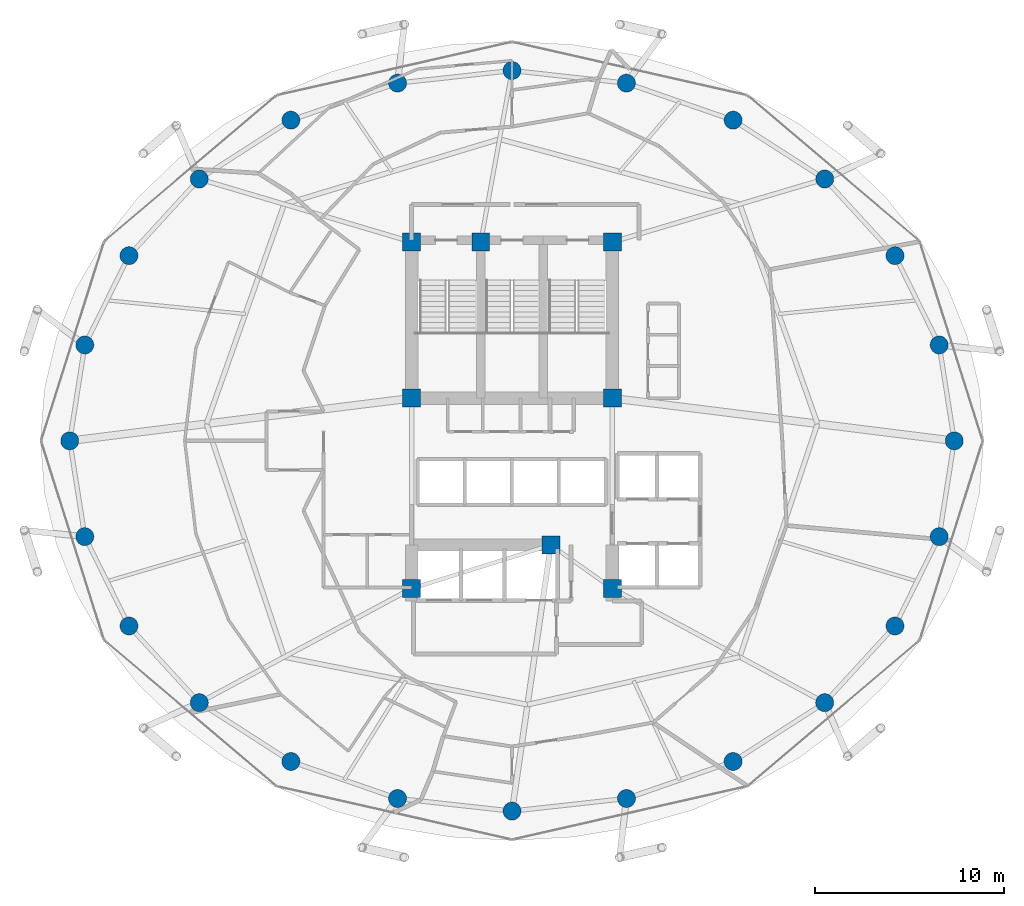
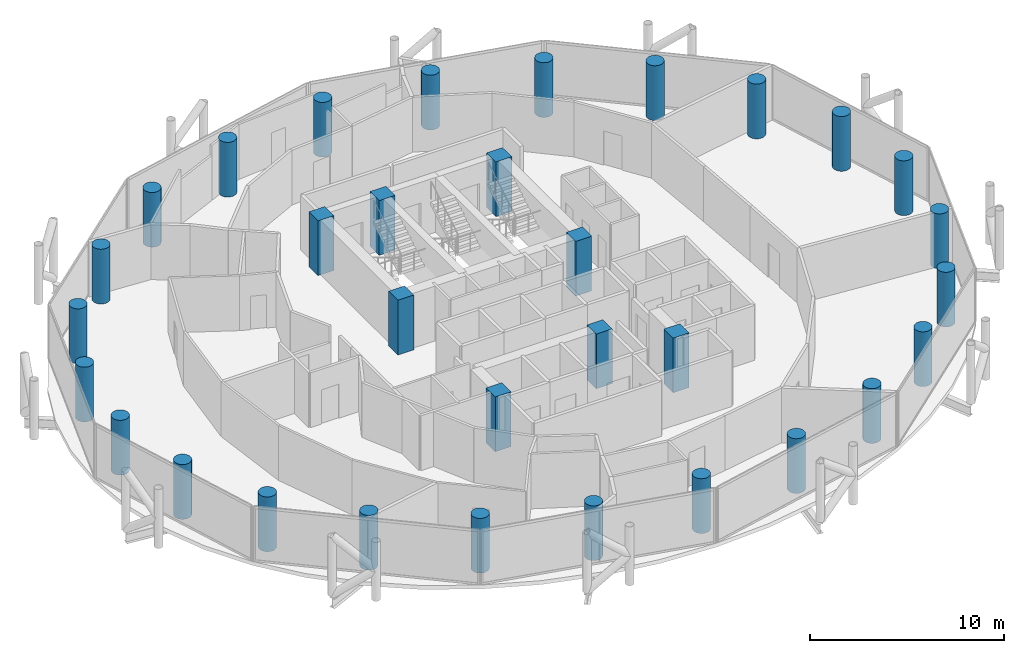
# One storey, part 1 of 26: 32 columns.
"""IFC4 building model written with IfcOpenShell, lengths in metres."""

from ifc_helpers import new_model, si_unit, direction, frame, origin, origin_2d, place, context, subcontext, project, spatial, rectangle, circle, extrude, material, material_profile, profile_set, type_object, element, save


model = new_model("IFC4")

# Units and contexts
model_context = context("Model", 3, precision=1e-05, world=origin(), true_north=direction((0.0, 1.0)))
body_context = subcontext(model_context, "Body", "Model", "MODEL_VIEW")
ifc_project = project(units=[si_unit("LENGTHUNIT", "METRE"), si_unit("AREAUNIT", "SQUARE_METRE"), si_unit("VOLUMEUNIT", "CUBIC_METRE"), si_unit("PLANEANGLEUNIT", "RADIAN"), si_unit("MASSUNIT", "GRAM", prefix="KILO")], contexts=[model_context])

# Site, building, storey
site_placement = place(None, origin())
site = spatial("IfcSite", under=ifc_project, at=site_placement, CompositionType="ELEMENT")
building_placement = place(site_placement, origin())
building = spatial("IfcBuilding", under=site, at=building_placement, Name="Nuhasar Tower", CompositionType="ELEMENT")
storey_placement = place(building_placement, frame((0.0, 0.0, 170.050048828125)))
storey = spatial("IfcBuildingStorey", under=building, at=storey_placement, Name="L41", CompositionType="ELEMENT", Elevation=170.050048828125)

# Columns
ifc_material = material(Name="Concrete C65/80", Category="concrete")
ifc_material_profile_1 = material_profile(ifc_material, circle(Radius=0.47509765625, at=origin_2d()), Name="CFT950")
ifc_profile_set_1 = profile_set([ifc_material_profile_1], Name="Concrete C65/80")
column_type_1 = type_object("IfcColumnType", Name="COL-CFT-950", PredefinedType="COLUMN", material=ifc_profile_set_1)
for number, where, z_axis, x_axis, name in (
    (1, (62.35009765625, 26.800048828125, 0.0), (0.0, 0.0, 1.0), (1.0, 0.0, 0.0), "L41 Perimeter Composite Column TC-01"),
    (2, (61.553955078125, 31.860107421875, 0.0), (0.0, 0.0, 1.0), (1.0, 0.0, 0.0), "L41 Perimeter Composite Column TC-02"),
    (3, (59.221923828125, 36.574951171875, 0.0), (0.0, 0.0, 1.0), (1.0, 0.0, 0.0), "L41 Perimeter Composite Column TC-03"),
    (4, (55.510986328125, 40.6240234375, 0.0), (0.0, 0.0, 1.0), (1.0, 0.0, 0.0), "L41 Perimeter Composite Column TC-04"),
    (5, (50.675048828125, 43.73095703125, 0.0), (0.0, 0.0, 1.0), (1.0, 0.0, 0.0), "L41 Perimeter Composite Column TC-05"),
    (6, (45.04296875, 45.68408203125, 0.0), (0.0, 0.0, 1.0), (1.0, 0.0, 0.0), "L41 Perimeter Composite Column TC-06"),
    (7, (39.0, 46.35009765625, 0.0), (0.0, 0.0, 1.0), (1.0, 0.0, 0.0), "L41 Perimeter Composite Column TC-07"),
    (8, (32.95703125, 45.68408203125, 0.0), (0.0, 0.0, 1.0), (1.0, 0.0, 0.0), "L41 Perimeter Composite Column TC-08"),
    (9, (27.324951171875, 43.73095703125, 0.0), (0.0, 0.0, 1.0), (1.0, 0.0, 0.0), "L41 Perimeter Composite Column TC-09"),
    (10, (22.489013671875, 40.6240234375, 0.0), (0.0, 0.0, 1.0), (1.0, 0.0, 0.0), "L41 Perimeter Composite Column TC-10"),
    (11, (18.778076171875, 36.574951171875, 0.0), (0.0, 0.0, 1.0), (1.0, 0.0, 0.0), "L41 Perimeter Composite Column TC-11"),
    (12, (16.446044921875, 31.860107421875, 0.0), (0.0, 0.0, 1.0), (1.0, 0.0, 0.0), "L41 Perimeter Composite Column TC-12"),
    (13, (15.64990234375, 26.800048828125, 0.0), (0.0, 0.0, 1.0), (1.0, 0.0, 0.0), "L41 Perimeter Composite Column TC-13"),
    (14, (16.446044921875, 21.739990234375, 0.0), (0.0, 0.0, 1.0), (1.0, 0.0, 0.0), "L41 Perimeter Composite Column TC-14"),
    (15, (18.778076171875, 17.02490234375, 0.0), (0.0, 0.0, 1.0), (1.0, 0.0, 0.0), "L41 Perimeter Composite Column TC-15"),
    (16, (22.489013671875, 12.97607421875, 0.0), (0.0, 0.0, 1.0), (1.0, 0.0, 0.0), "L41 Perimeter Composite Column TC-16"),
    (17, (27.324951171875, 9.868896484375, 0.0), (0.0, 0.0, 1.0), (1.0, 0.0, 0.0), "L41 Perimeter Composite Column TC-17"),
    (18, (32.95703125, 7.916015625, 0.0), (0.0, 0.0, 1.0), (1.0, 0.0, 0.0), "L41 Perimeter Composite Column TC-18"),
    (19, (39.0, 7.25, 0.0), (0.0, 0.0, 1.0), (1.0, 0.0, 0.0), "L41 Perimeter Composite Column TC-19"),
    (20, (45.04296875, 7.916015625, 0.0), (0.0, 0.0, 1.0), (1.0, 0.0, 0.0), "L41 Perimeter Composite Column TC-20"),
    (21, (50.675048828125, 9.868896484375, 0.0), (0.0, 0.0, 1.0), (1.0, 0.0, 0.0), "L41 Perimeter Composite Column TC-21"),
    (22, (55.510986328125, 12.97607421875, 0.0), (0.0, 0.0, 1.0), (1.0, 0.0, 0.0), "L41 Perimeter Composite Column TC-22"),
    (23, (59.221923828125, 17.02490234375, 0.0), (0.0, 0.0, 1.0), (1.0, 0.0, 0.0), "L41 Perimeter Composite Column TC-23"),
    (24, (61.553955078125, 21.739990234375, 0.0), (0.0, 0.0, 1.0), (1.0, 0.0, 0.0), "L41 Perimeter Composite Column TC-24"),
):
    element("IfcColumn", number, at=place(storey_placement, frame(where, z_axis=z_axis, x_axis=x_axis)), inside=storey, type_object=column_type_1, Name=name, PredefinedType="COLUMN", context=body_context, shape_type="SweptSolid", body=[
        extrude(circle(Radius=0.47509765625, at=origin_2d()), origin(), (0.0, 0.0, 1.0), 3.449951171875),
    ])
ifc_material_profile_2 = material_profile(ifc_material, rectangle(XDim=0.949951171875, YDim=0.949951171875, at=origin_2d()), Name="RC950X950")
ifc_profile_set_2 = profile_set([ifc_material_profile_2], Name="Concrete C65/80")
column_type_2 = type_object("IfcColumnType", Name="PIL-RC-950", PredefinedType="PILASTER", material=ifc_profile_set_2)
for number, where, z_axis, x_axis, name in (
    (25, (33.699951171875, 19.0, 0.0), (0.0, 0.0, 1.0), (1.0, 0.0, 0.0), "L41 Core Boundary Pilaster CC-01"),
    (26, (41.050048828125, 21.300048828125, 0.0), (0.0, 0.0, 1.0), (1.0, 0.0, 0.0), "L41 Core Boundary Pilaster CC-02"),
    (27, (44.300048828125, 19.0, 0.0), (0.0, 0.0, 1.0), (1.0, 0.0, 0.0), "L41 Core Boundary Pilaster CC-03"),
    (28, (44.300048828125, 29.050048828125, 0.0), (0.0, 0.0, 1.0), (1.0, 0.0, 0.0), "L41 Core Boundary Pilaster CC-04"),
    (29, (44.300048828125, 37.300048828125, 0.0), (0.0, 0.0, 1.0), (1.0, 0.0, 0.0), "L41 Core Boundary Pilaster CC-05"),
    (30, (37.35009765625, 37.300048828125, 0.0), (0.0, 0.0, 1.0), (1.0, 0.0, 0.0), "L41 Core Boundary Pilaster CC-06"),
    (31, (33.699951171875, 37.300048828125, 0.0), (0.0, 0.0, 1.0), (1.0, 0.0, 0.0), "L41 Core Boundary Pilaster CC-07"),
    (32, (33.699951171875, 29.050048828125, 0.0), (0.0, 0.0, 1.0), (1.0, 0.0, 0.0), "L41 Core Boundary Pilaster CC-08"),
):
    element("IfcColumn", number, at=place(storey_placement, frame(where, z_axis=z_axis, x_axis=x_axis)), inside=storey, type_object=column_type_2, Name=name, PredefinedType="PILASTER", context=body_context, shape_type="SweptSolid", body=[
        extrude(rectangle(XDim=0.949951171875, YDim=0.949951171875, at=origin_2d()), origin(), (0.0, 0.0, 1.0), 3.449951171875),
    ])

save(model, "model.ifc")
